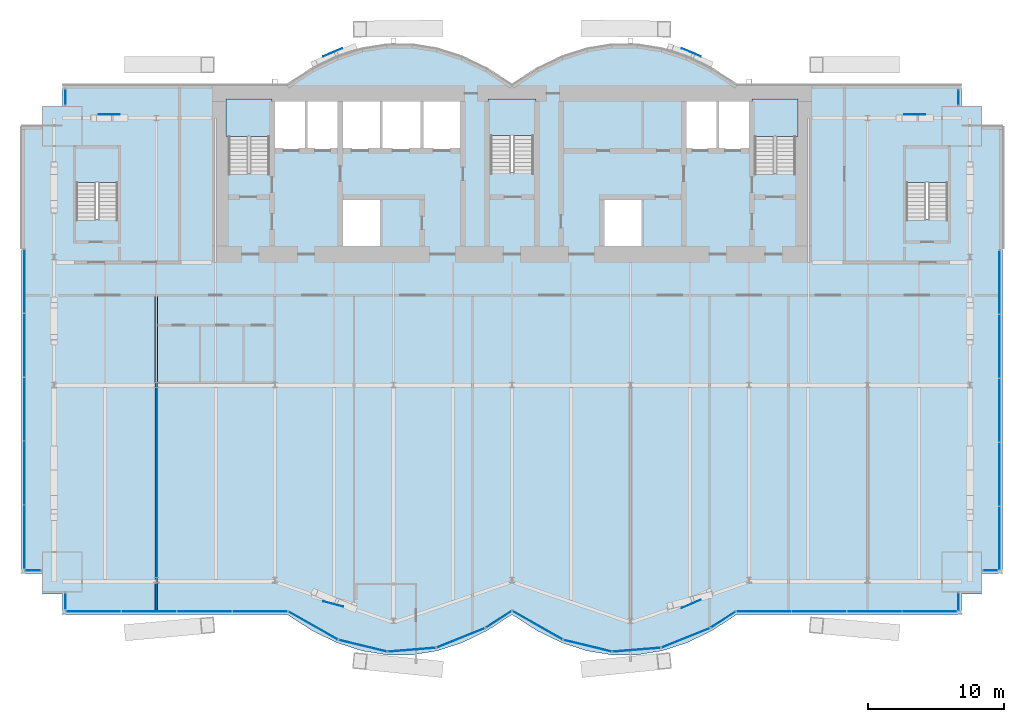
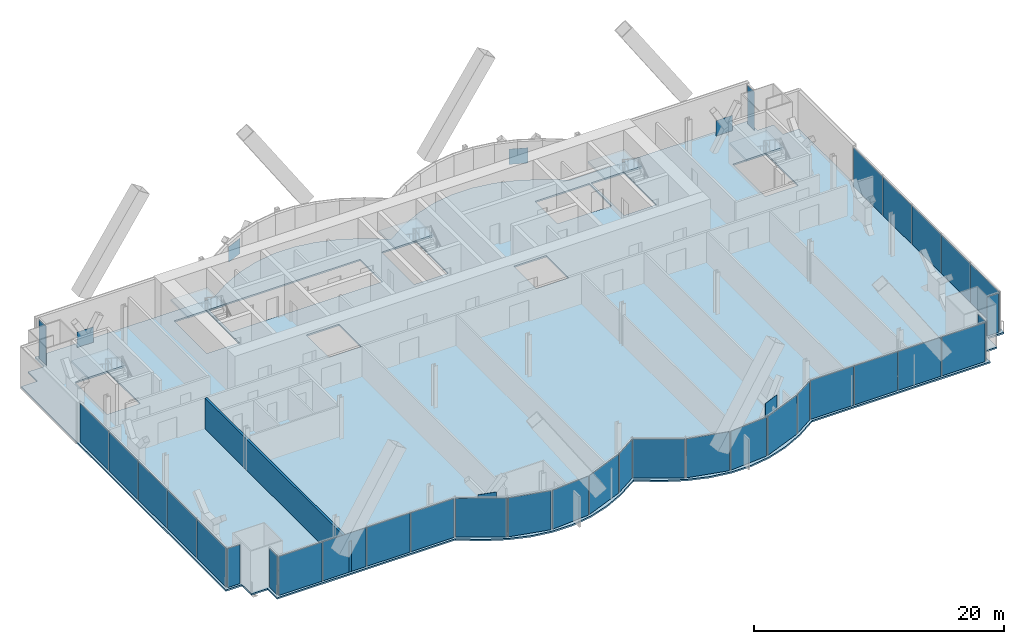
# One storey, part 15 of 22: 40 plates, 6 slabs, 1 wall, 17 elements without a shape of their own.
"""IFC4 building model written with IfcOpenShell, lengths in metres."""

from ifc_helpers import new_model, si_unit, direction, frame, frame_2d, origin, origin_2d, place, context, subcontext, project, spatial, polyline, rectangle, outline, extrude, material, layer, layer_set, type_object, element, aggregate, save


model = new_model("IFC4")

# Units and contexts
model_context = context("Model", 3, precision=1e-05, world=origin(), true_north=direction((0.0, 1.0)))
body_context = subcontext(model_context, "Body", "Model", "MODEL_VIEW")
ifc_project = project(units=[si_unit("LENGTHUNIT", "METRE"), si_unit("AREAUNIT", "SQUARE_METRE"), si_unit("VOLUMEUNIT", "CUBIC_METRE"), si_unit("PLANEANGLEUNIT", "RADIAN"), si_unit("MASSUNIT", "GRAM", prefix="KILO")], contexts=[model_context])

# Site, building, storey
site_placement = place(None, origin())
site = spatial("IfcSite", under=ifc_project, at=site_placement, CompositionType="ELEMENT")
building_placement = place(site_placement, origin())
building = spatial("IfcBuilding", under=site, at=building_placement, Name="Bicima Exchange Tower", CompositionType="ELEMENT")
storey_placement = place(building_placement, frame((0.0, 0.0, 94.0)))
storey = spatial("IfcBuildingStorey", under=building, at=storey_placement, Name="L19", CompositionType="ELEMENT", Elevation=94.0)

# Plates
ifc_material_1 = material(Name="Steel ASTM A572 Gr 50", Category="steel")
ifc_layer_1 = layer(ifc_material_1, 0.02490234375)
ifc_layer_set_1 = layer_set([ifc_layer_1], Name="Steel ASTM A572 Gr 50")
plate_type_1 = type_object("IfcPlateType", Name="Brace crossing gusset 25", PredefinedType="SHEET", material=ifc_layer_set_1)
for number, where, z_axis, x_axis, name in (
    (1, (-13.15380859375, 2.415283203125, 1.300048828125), (0.0, 0.0, 1.0), (0.920946171144, 0.389689812356, 0.0), "Brace crossing gusset plate"),
    (2, (13.15380859375, 2.415283203125, 1.300048828125), (0.0, 0.0, 1.0), (0.920946171144, -0.389689812356, 0.0), "Brace crossing gusset plate"),
    (3, (-13.116943359375, -38.0595703125, 1.300048828125), (0.0, 0.0, 1.0), (0.967901583186, -0.25132951531, 0.0), "Brace crossing gusset plate"),
    (4, (13.15478515625, -38.04638671875, 1.300048828125), (0.0, 0.0, 1.0), (0.91935521456, 0.393428506163, 0.0), "Brace crossing gusset plate"),
    (5, (-29.550048828125, -2.133544921875, 1.300048828125), (0.0, 0.0, 1.0), (1.0, 0.0, 0.0), "Brace crossing gusset plate"),
    (6, (29.550048828125, -2.133544921875, 1.300048828125), (0.0, 0.0, 1.0), (1.0, 0.0, 0.0), "Brace crossing gusset plate"),
):
    element("IfcPlate", number, at=place(storey_placement, frame(where, z_axis=z_axis, x_axis=x_axis)), inside=storey, type_object=plate_type_1, Name=name, PredefinedType="SHEET", context=body_context, shape_type="SweptSolid", body=[
        extrude(rectangle(XDim=1.52392578125, YDim=0.02490234375, at=origin_2d()), origin(), (0.0, 0.0, 1.0), 1.5),
    ])

# Slab
ifc_material_2 = material(Name="Concrete C40/50", Category="concrete")
ifc_layer_2 = layer(ifc_material_2, 0.14990234375)
ifc_layer_set_2 = layer_set([ifc_layer_2], Name="Concrete C40/50")
slab_type_1 = type_object("IfcSlabType", Name="Composite floor slab 150", PredefinedType="FLOOR", material=ifc_layer_set_2)
slab_1_placement = place(storey_placement, frame((0.0, 0.0, -0.14990234375)))
element("IfcSlab", 7, at=slab_1_placement, inside=storey, type_object=slab_type_1, Name="Floor slab", PredefinedType="FLOOR", context=body_context, shape_type="SweptSolid", body=[
    extrude(outline(polyline([(-36.0, -35.827880859375), (-36.0, -3.0), (-34.5, -3.0), (-34.5, -1.5), (-33.0, -1.5), (-33.0, 0.0), (-16.5, 0.0), (-14.666748046875, 1.185302734375), (-12.833251953125, 2.07421875), (-11.0, 2.666748046875), (-9.166748046875, 2.962890625), (-7.333251953125, 2.962890625), (-5.5, 2.666748046875), (-3.666748046875, 2.07421875), (-1.833251953125, 1.185302734375), (0.0, 0.0), (1.833251953125, 1.185302734375), (3.666748046875, 2.07421875), (5.5, 2.666748046875), (7.333251953125, 2.962890625), (9.166748046875, 2.962890625), (11.0, 2.666748046875), (12.833251953125, 2.07421875), (14.666748046875, 1.185302734375), (16.5, 0.0), (33.0, 0.0), (33.0, -1.5), (34.5, -1.5), (34.5, -3.0), (36.0, -3.0), (36.0, -35.827880859375), (34.5, -35.827880859375), (34.5, -37.327880859375), (33.0, -37.327880859375), (33.0, -38.827880859375), (16.5, -38.827880859375), (14.666748046875, -40.01318359375), (12.833251953125, -40.902099609375), (11.0, -41.49462890625), (9.166748046875, -41.791015625), (7.333251953125, -41.791015625), (5.5, -41.49462890625), (3.666748046875, -40.902099609375), (1.833251953125, -40.01318359375), (0.0, -38.827880859375), (-1.833251953125, -40.01318359375), (-3.666748046875, -40.902099609375), (-5.5, -41.49462890625), (-7.333251953125, -41.791015625), (-9.166748046875, -41.791015625), (-11.0, -41.49462890625), (-12.833251953125, -40.902099609375), (-14.666748046875, -40.01318359375), (-16.5, -38.827880859375), (-33.0, -38.827880859375), (-33.0, -37.327880859375), (-34.5, -37.327880859375), (-34.5, -35.827880859375), (-36.0, -35.827880859375)]), holes=[polyline([(-9.60009765625, -11.800048828125), (-9.60009765625, -8.199951171875), (-12.60009765625, -8.199951171875), (-12.60009765625, -11.800048828125), (-9.60009765625, -11.800048828125)]), polyline([(-31.97509765625, -9.824951171875), (-28.925048828125, -9.824951171875), (-28.925048828125, -4.625), (-31.97509765625, -4.625), (-31.97509765625, -9.824951171875)]), polyline([(-20.800048828125, -6.449951171875), (-17.800048828125, -6.449951171875), (-17.800048828125, -1.199951171875), (-20.800048828125, -1.199951171875), (-20.800048828125, -6.449951171875)]), polyline([(-9.60009765625, -1.199951171875), (-12.60009765625, -1.199951171875), (-15.10009765625, -1.199951171875), (-17.60009765625, -1.199951171875), (-17.60009765625, -4.800048828125), (-15.10009765625, -4.800048828125), (-12.60009765625, -4.800048828125), (-9.60009765625, -4.800048828125), (-6.60009765625, -4.800048828125), (-3.60009765625, -4.800048828125), (-3.60009765625, -1.199951171875), (-6.60009765625, -1.199951171875), (-9.60009765625, -1.199951171875)]), polyline([(9.60009765625, -11.800048828125), (9.60009765625, -8.199951171875), (6.60009765625, -8.199951171875), (6.60009765625, -11.800048828125), (9.60009765625, -11.800048828125)]), polyline([(28.925048828125, -9.824951171875), (31.97509765625, -9.824951171875), (31.97509765625, -4.625), (28.925048828125, -4.625), (28.925048828125, -9.824951171875)]), polyline([(17.800048828125, -6.449951171875), (20.800048828125, -6.449951171875), (20.800048828125, -1.199951171875), (17.800048828125, -1.199951171875), (17.800048828125, -6.449951171875)]), polyline([(-1.574951171875, -6.39990234375), (1.574951171875, -6.39990234375), (1.574951171875, -1.199951171875), (-1.574951171875, -1.199951171875), (-1.574951171875, -6.39990234375)]), polyline([(17.60009765625, -4.800048828125), (17.60009765625, -1.199951171875), (15.10009765625, -1.199951171875), (12.60009765625, -1.199951171875), (12.60009765625, -4.800048828125), (15.10009765625, -4.800048828125), (17.60009765625, -4.800048828125)])]), origin(), (0.0, 0.0, 1.0), 0.14990234375),
])

# Curtain wall, plates
ifc_material_3 = material(Name="Anodised bronze aluminium", Category="aluminium")
curtain_wall_type_1 = type_object("IfcCurtainWallType", Name="End face glass wall", PredefinedType="NOTDEFINED", material=ifc_material_3)
curtain_wall_1_placement = place(storey_placement, origin())
curtain_wall_1 = element("IfcCurtainWall", 8, at=curtain_wall_1_placement, inside=storey, type_object=curtain_wall_type_1, Name="End face glass wall L19 run 2", PredefinedType="NOTDEFINED")
ifc_material_4 = material(Name="Bronze tinted glass", Category="glass")
ifc_layer_3 = layer(ifc_material_4, 0.031982421875)
ifc_layer_set_3 = layer_set([ifc_layer_3], Name="Bronze tinted glass")
plate_type_2 = type_object("IfcPlateType", Name="End face glass wall glass panel 32", PredefinedType="CURTAIN_PANEL", material=ifc_layer_set_3)
plate_1_placement = place(storey_placement, frame((-35.77001953125, -14.375732421875, 0.0), z_axis=(0.0, 0.0, 1.0), x_axis=(0.0, -1.0, 0.0)))
plate_1 = element("IfcPlate", 9, at=plate_1_placement, type_object=plate_type_2, Name="End face glass wall panel 1.1", PredefinedType="CURTAIN_PANEL", context=body_context, shape_type="SweptSolid", body=[
    extrude(rectangle(XDim=4.631591796875, YDim=0.031982421875, at=origin_2d()), origin(), (0.0, 0.0, 1.0), 3.81005859375),
])
plate_2_placement = place(storey_placement, frame((-35.77001953125, -19.0673828125, 0.0), z_axis=(0.0, 0.0, 1.0), x_axis=(0.0, -1.0, 0.0)))
plate_2 = element("IfcPlate", 10, at=plate_2_placement, type_object=plate_type_2, Name="End face glass wall panel 2.1", PredefinedType="CURTAIN_PANEL", context=body_context, shape_type="SweptSolid", body=[
    extrude(rectangle(XDim=4.631591796875, YDim=0.031982421875, at=origin_2d()), origin(), (0.0, 0.0, 1.0), 3.81005859375),
])
plate_3_placement = place(storey_placement, frame((-35.77001953125, -23.759033203125, 0.0), z_axis=(0.0, 0.0, 1.0), x_axis=(0.0, -1.0, 0.0)))
plate_3 = element("IfcPlate", 11, at=plate_3_placement, type_object=plate_type_2, Name="End face glass wall panel 3.1", PredefinedType="CURTAIN_PANEL", context=body_context, shape_type="SweptSolid", body=[
    extrude(rectangle(XDim=4.631591796875, YDim=0.031982421875, at=origin_2d()), origin(), (0.0, 0.0, 1.0), 3.81005859375),
])

curtain_wall_2_placement = place(storey_placement, origin())
curtain_wall_2 = element("IfcCurtainWall", 12, at=curtain_wall_2_placement, inside=storey, type_object=curtain_wall_type_1, Name="End face glass wall L19 run 19", PredefinedType="NOTDEFINED")
plate_4_placement = place(storey_placement, frame((35.77001953125, -23.839111328125, 0.0), z_axis=(0.0, 0.0, 1.0), x_axis=(0.0, 1.0, 0.0)))
plate_4 = element("IfcPlate", 13, at=plate_4_placement, type_object=plate_type_2, Name="End face glass wall panel 3.1", PredefinedType="CURTAIN_PANEL", context=body_context, shape_type="SweptSolid", body=[
    extrude(rectangle(XDim=4.631591796875, YDim=0.031982421875, at=origin_2d()), origin(), (0.0, 0.0, 1.0), 3.81005859375),
])
plate_5_placement = place(storey_placement, frame((35.77001953125, -19.1474609375, 0.0), z_axis=(0.0, 0.0, 1.0), x_axis=(0.0, 1.0, 0.0)))
plate_5 = element("IfcPlate", 14, at=plate_5_placement, type_object=plate_type_2, Name="End face glass wall panel 4.1", PredefinedType="CURTAIN_PANEL", context=body_context, shape_type="SweptSolid", body=[
    extrude(rectangle(XDim=4.631591796875, YDim=0.031982421875, at=origin_2d()), origin(), (0.0, 0.0, 1.0), 3.81005859375),
])
plate_6_placement = place(storey_placement, frame((35.77001953125, -14.455810546875, 0.0), z_axis=(0.0, 0.0, 1.0), x_axis=(0.0, 1.0, 0.0)))
plate_6 = element("IfcPlate", 15, at=plate_6_placement, type_object=plate_type_2, Name="End face glass wall panel 5.1", PredefinedType="CURTAIN_PANEL", context=body_context, shape_type="SweptSolid", body=[
    extrude(rectangle(XDim=4.631591796875, YDim=0.031982421875, at=origin_2d()), origin(), (0.0, 0.0, 1.0), 3.81005859375),
])

# Plate
ifc_material_5 = material(Name="Bronze anodised aluminium", Category="aluminium")
ifc_layer_4 = layer(ifc_material_5, 0.031982421875)
ifc_layer_set_4 = layer_set([ifc_layer_4], Name="Bronze anodised aluminium")
plate_type_3 = type_object("IfcPlateType", Name="End face glass wall spandrel panel 32", PredefinedType="CURTAIN_PANEL", material=ifc_layer_set_4)
plate_7_placement = place(storey_placement, frame((-35.77001953125, -28.45068359375, 0.0), z_axis=(0.0, 0.0, 1.0), x_axis=(0.0, -1.0, 0.0)))
plate_7 = element("IfcPlate", 16, at=plate_7_placement, type_object=plate_type_3, Name="End face spandrel wall panel 4.1", PredefinedType="CURTAIN_PANEL", context=body_context, shape_type="SweptSolid", body=[
    extrude(rectangle(XDim=4.631591796875, YDim=0.031982421875, at=origin_2d()), origin(), (0.0, 0.0, 1.0), 3.81005859375),
])

plate_8_placement = place(storey_placement, frame((-35.77001953125, -33.14208984375, 0.0), z_axis=(0.0, 0.0, 1.0), x_axis=(0.0, -1.0, 0.0)))
plate_8 = element("IfcPlate", 17, at=plate_8_placement, type_object=plate_type_3, Name="End face spandrel wall panel 5.1", PredefinedType="CURTAIN_PANEL", context=body_context, shape_type="SweptSolid", body=[
    extrude(rectangle(XDim=4.631591796875, YDim=0.031982421875, at=origin_2d()), origin(), (0.0, 0.0, 1.0), 3.81005859375),
])

aggregate(curtain_wall_1, [plate_1, plate_2, plate_3, plate_7, plate_8])

plate_9_placement = place(storey_placement, frame((35.77001953125, -33.22216796875, 0.0), z_axis=(0.0, 0.0, 1.0), x_axis=(0.0, 1.0, 0.0)))
plate_9 = element("IfcPlate", 18, at=plate_9_placement, type_object=plate_type_3, Name="End face spandrel wall panel 1.1", PredefinedType="CURTAIN_PANEL", context=body_context, shape_type="SweptSolid", body=[
    extrude(rectangle(XDim=4.631591796875, YDim=0.031982421875, at=origin_2d()), origin(), (0.0, 0.0, 1.0), 3.81005859375),
])

plate_10_placement = place(storey_placement, frame((35.77001953125, -28.530517578125, 0.0), z_axis=(0.0, 0.0, 1.0), x_axis=(0.0, 1.0, 0.0)))
plate_10 = element("IfcPlate", 19, at=plate_10_placement, type_object=plate_type_3, Name="End face spandrel wall panel 2.1", PredefinedType="CURTAIN_PANEL", context=body_context, shape_type="SweptSolid", body=[
    extrude(rectangle(XDim=4.631591796875, YDim=0.031982421875, at=origin_2d()), origin(), (0.0, 0.0, 1.0), 3.81005859375),
])

aggregate(curtain_wall_2, [plate_9, plate_10, plate_4, plate_5, plate_6])

# Curtain wall, plate
curtain_wall_type_2 = type_object("IfcCurtainWallType", Name="Front glass wall", PredefinedType="NOTDEFINED", material=ifc_material_3)
curtain_wall_3_placement = place(storey_placement, origin())
curtain_wall_3 = element("IfcCurtainWall", 20, at=curtain_wall_3_placement, inside=storey, type_object=curtain_wall_type_2, Name="Front glass wall L19 run 1", PredefinedType="NOTDEFINED")
ifc_layer_5 = layer(ifc_material_4, 0.031982421875)
ifc_layer_set_5 = layer_set([ifc_layer_5], Name="Bronze tinted glass")
plate_type_4 = type_object("IfcPlateType", Name="Front glass wall glass panel 32", PredefinedType="CURTAIN_PANEL", material=ifc_layer_set_5)
plate_11_placement = place(storey_placement, frame((-32.77001953125, -0.864990234375, 0.0), z_axis=(0.0, 0.0, 1.0), x_axis=(0.0, -1.0, 0.0)))
plate_11 = element("IfcPlate", 21, at=plate_11_placement, type_object=plate_type_4, Name="Front glass wall panel 1.1", PredefinedType="CURTAIN_PANEL", context=body_context, shape_type="SweptSolid", body=[
    extrude(rectangle(XDim=1.14990234375, YDim=0.031982421875, at=origin_2d()), origin(), (0.0, 0.0, 1.0), 3.81005859375),
])
aggregate(curtain_wall_3, [plate_11])

curtain_wall_4_placement = place(storey_placement, origin())
curtain_wall_4 = element("IfcCurtainWall", 22, at=curtain_wall_4_placement, inside=storey, type_object=curtain_wall_type_2, Name="Front glass wall L19 run 3", PredefinedType="NOTDEFINED")
plate_12_placement = place(storey_placement, frame((-35.135009765625, -35.597900390625, 0.0), z_axis=(0.0, 0.0, 1.0), x_axis=(1.0, 0.0, 0.0)))
plate_12 = element("IfcPlate", 23, at=plate_12_placement, type_object=plate_type_4, Name="Front glass wall panel 1.1", PredefinedType="CURTAIN_PANEL", context=body_context, shape_type="SweptSolid", body=[
    extrude(rectangle(XDim=1.14990234375, YDim=0.031982421875, at=origin_2d()), origin(), (0.0, 0.0, 1.0), 3.81005859375),
])
aggregate(curtain_wall_4, [plate_12])

curtain_wall_5_placement = place(storey_placement, origin())
curtain_wall_5 = element("IfcCurtainWall", 24, at=curtain_wall_5_placement, inside=storey, type_object=curtain_wall_type_2, Name="Front glass wall L19 run 4", PredefinedType="NOTDEFINED")
plate_13_placement = place(storey_placement, frame((-32.77001953125, -37.862060546875, 0.0), z_axis=(0.0, 0.0, 1.0), x_axis=(0.0, -1.0, 0.0)))
plate_13 = element("IfcPlate", 25, at=plate_13_placement, type_object=plate_type_4, Name="Front glass wall panel 1.1", PredefinedType="CURTAIN_PANEL", context=body_context, shape_type="SweptSolid", body=[
    extrude(rectangle(XDim=1.19189453125, YDim=0.031982421875, at=origin_2d()), origin(), (0.0, 0.0, 1.0), 3.81005859375),
])
aggregate(curtain_wall_5, [plate_13])

# Curtain wall, plates
curtain_wall_6_placement = place(storey_placement, origin())
curtain_wall_6 = element("IfcCurtainWall", 26, at=curtain_wall_6_placement, inside=storey, type_object=curtain_wall_type_2, Name="Front glass wall L19 run 5", PredefinedType="NOTDEFINED")
plate_14_placement = place(storey_placement, frame((-22.56640625, -38.597900390625, 0.0), z_axis=(0.0, 0.0, 1.0), x_axis=(1.0, 0.0, 0.0)))
plate_14 = element("IfcPlate", 27, at=plate_14_placement, type_object=plate_type_4, Name="Front glass wall panel 3.1", PredefinedType="CURTAIN_PANEL", context=body_context, shape_type="SweptSolid", body=[
    extrude(rectangle(XDim=4.009521484375, YDim=0.031982421875, at=origin_2d()), origin(), (0.0, 0.0, 1.0), 3.81005859375),
])
plate_15_placement = place(storey_placement, frame((-18.496826171875, -38.597900390625, 0.0), z_axis=(0.0, 0.0, 1.0), x_axis=(1.0, 0.0, 0.0)))
plate_15 = element("IfcPlate", 28, at=plate_15_placement, type_object=plate_type_4, Name="Front glass wall panel 4.1", PredefinedType="CURTAIN_PANEL", context=body_context, shape_type="SweptSolid", body=[
    extrude(rectangle(XDim=4.009521484375, YDim=0.031982421875, at=origin_2d()), origin(), (0.0, 0.0, 1.0), 3.81005859375),
])

curtain_wall_7_placement = place(storey_placement, origin())
curtain_wall_7 = element("IfcCurtainWall", 29, at=curtain_wall_7_placement, inside=storey, type_object=curtain_wall_type_2, Name="Front glass wall L19 run 6", PredefinedType="NOTDEFINED")
plate_16_placement = place(storey_placement, frame((-14.589599609375, -39.64306640625, 0.0), z_axis=(0.0, 0.0, 1.0), x_axis=(0.869805110681, -0.493395449343, 0.0)))
plate_16 = element("IfcPlate", 30, at=plate_16_placement, type_object=plate_type_4, Name="Front glass wall panel 1.1", PredefinedType="CURTAIN_PANEL", context=body_context, shape_type="SweptSolid", body=[
    extrude(rectangle(XDim=4.1162109375, YDim=0.031982421875, at=origin_2d()), origin(), (0.0, 0.0, 1.0), 3.81005859375),
])
plate_17_placement = place(storey_placement, frame((-10.94775390625, -41.12451171875, 0.0), z_axis=(0.0, 0.0, 1.0), x_axis=(0.971830343553, -0.235681529503, 0.0)))
plate_17 = element("IfcPlate", 31, at=plate_17_placement, type_object=plate_type_4, Name="Front glass wall panel 1.1", PredefinedType="CURTAIN_PANEL", context=body_context, shape_type="SweptSolid", body=[
    extrude(rectangle(XDim=3.583251953125, YDim=0.031982421875, at=origin_2d()), origin(), (0.0, 0.0, 1.0), 3.81005859375),
])
plate_18_placement = place(storey_placement, frame((-0.97314453125, -39.18310546875, 0.0), z_axis=(0.0, 0.0, 1.0), x_axis=(0.839798994301, 0.542897457326, 0.0)))
plate_18 = element("IfcPlate", 32, at=plate_18_placement, type_object=plate_type_4, Name="Front glass wall panel 1.1", PredefinedType="CURTAIN_PANEL", context=body_context, shape_type="SweptSolid", body=[
    extrude(rectangle(XDim=2.197509765625, YDim=0.031982421875, at=origin_2d()), origin(), (0.0, 0.0, 1.0), 3.81005859375),
])

curtain_wall_8_placement = place(storey_placement, origin())
curtain_wall_8 = element("IfcCurtainWall", 33, at=curtain_wall_8_placement, inside=storey, type_object=curtain_wall_type_2, Name="Front glass wall L19 run 11", PredefinedType="NOTDEFINED")
plate_19_placement = place(storey_placement, frame((9.14892578125, -41.415771484375, 0.0), z_axis=(0.0, 0.0, 1.0), x_axis=(0.99674744821, 0.080588612633, 0.0)))
plate_19 = element("IfcPlate", 34, at=plate_19_placement, type_object=plate_type_4, Name="Front glass wall panel 1.1", PredefinedType="CURTAIN_PANEL", context=body_context, shape_type="SweptSolid", body=[
    extrude(rectangle(XDim=3.486083984375, YDim=0.031982421875, at=origin_2d()), origin(), (0.0, 0.0, 1.0), 3.81005859375),
])
plate_20_placement = place(storey_placement, frame((12.749755859375, -40.54150390625, 0.0), z_axis=(0.0, 0.0, 1.0), x_axis=(0.92714396679, 0.374705304, 0.0)))
plate_20 = element("IfcPlate", 35, at=plate_20_placement, type_object=plate_type_4, Name="Front glass wall panel 1.1", PredefinedType="CURTAIN_PANEL", context=body_context, shape_type="SweptSolid", body=[
    extrude(rectangle(XDim=3.771240234375, YDim=0.031982421875, at=origin_2d()), origin(), (0.0, 0.0, 1.0), 3.81005859375),
])
plate_21_placement = place(storey_placement, frame((15.492919921875, -39.205078125, 0.0), z_axis=(0.0, 0.0, 1.0), x_axis=(0.839791413941, 0.542909183079, 0.0)))
plate_21 = element("IfcPlate", 36, at=plate_21_placement, type_object=plate_type_4, Name="Front glass wall panel 1.1", PredefinedType="CURTAIN_PANEL", context=body_context, shape_type="SweptSolid", body=[
    extrude(rectangle(XDim=2.11669921875, YDim=0.031982421875, at=origin_2d()), origin(), (0.0, 0.0, 1.0), 3.81005859375),
])

curtain_wall_9_placement = place(storey_placement, origin())
curtain_wall_9 = element("IfcCurtainWall", 37, at=curtain_wall_9_placement, inside=storey, type_object=curtain_wall_type_2, Name="Front glass wall L19 run 16", PredefinedType="NOTDEFINED")
plate_22_placement = place(storey_placement, frame((18.48681640625, -38.597900390625, 0.0), z_axis=(0.0, 0.0, 1.0), x_axis=(1.0, 0.0, 0.0)))
plate_22 = element("IfcPlate", 38, at=plate_22_placement, type_object=plate_type_4, Name="Front glass wall panel 1.1", PredefinedType="CURTAIN_PANEL", context=body_context, shape_type="SweptSolid", body=[
    extrude(rectangle(XDim=3.989501953125, YDim=0.031982421875, at=origin_2d()), origin(), (0.0, 0.0, 1.0), 3.81005859375),
])
plate_23_placement = place(storey_placement, frame((22.536376953125, -38.597900390625, 0.0), z_axis=(0.0, 0.0, 1.0), x_axis=(1.0, 0.0, 0.0)))
plate_23 = element("IfcPlate", 39, at=plate_23_placement, type_object=plate_type_4, Name="Front glass wall panel 2.1", PredefinedType="CURTAIN_PANEL", context=body_context, shape_type="SweptSolid", body=[
    extrude(rectangle(XDim=3.989501953125, YDim=0.031982421875, at=origin_2d()), origin(), (0.0, 0.0, 1.0), 3.81005859375),
])

# Curtain wall, plate
curtain_wall_10_placement = place(storey_placement, origin())
curtain_wall_10 = element("IfcCurtainWall", 40, at=curtain_wall_10_placement, inside=storey, type_object=curtain_wall_type_2, Name="Front glass wall L19 run 17", PredefinedType="NOTDEFINED")
plate_24_placement = place(storey_placement, frame((32.77001953125, -37.902099609375, 0.0), z_axis=(0.0, 0.0, 1.0), x_axis=(0.0, 1.0, 0.0)))
plate_24 = element("IfcPlate", 41, at=plate_24_placement, type_object=plate_type_4, Name="Front glass wall panel 1.1", PredefinedType="CURTAIN_PANEL", context=body_context, shape_type="SweptSolid", body=[
    extrude(rectangle(XDim=1.27197265625, YDim=0.031982421875, at=origin_2d()), origin(), (0.0, 0.0, 1.0), 3.81005859375),
])
aggregate(curtain_wall_10, [plate_24])

curtain_wall_11_placement = place(storey_placement, origin())
curtain_wall_11 = element("IfcCurtainWall", 42, at=curtain_wall_11_placement, inside=storey, type_object=curtain_wall_type_2, Name="Front glass wall L19 run 18", PredefinedType="NOTDEFINED")
plate_25_placement = place(storey_placement, frame((35.094970703125, -35.597900390625, 0.0), z_axis=(0.0, 0.0, 1.0), x_axis=(1.0, 0.0, 0.0)))
plate_25 = element("IfcPlate", 43, at=plate_25_placement, type_object=plate_type_4, Name="Front glass wall panel 1.1", PredefinedType="CURTAIN_PANEL", context=body_context, shape_type="SweptSolid", body=[
    extrude(rectangle(XDim=1.070068359375, YDim=0.031982421875, at=origin_2d()), origin(), (0.0, 0.0, 1.0), 3.81005859375),
])
aggregate(curtain_wall_11, [plate_25])

curtain_wall_12_placement = place(storey_placement, origin())
curtain_wall_12 = element("IfcCurtainWall", 44, at=curtain_wall_12_placement, inside=storey, type_object=curtain_wall_type_2, Name="Front glass wall L19 run 20", PredefinedType="NOTDEFINED")
plate_26_placement = place(storey_placement, frame((32.77001953125, -0.905029296875, 0.0), z_axis=(0.0, 0.0, 1.0), x_axis=(0.0, 1.0, 0.0)))
plate_26 = element("IfcPlate", 45, at=plate_26_placement, type_object=plate_type_4, Name="Front glass wall panel 1.1", PredefinedType="CURTAIN_PANEL", context=body_context, shape_type="SweptSolid", body=[
    extrude(rectangle(XDim=1.070068359375, YDim=0.031982421875, at=origin_2d()), origin(), (0.0, 0.0, 1.0), 3.81005859375),
])
aggregate(curtain_wall_12, [plate_26])

# Plate
ifc_layer_6 = layer(ifc_material_5, 0.031982421875)
ifc_layer_set_6 = layer_set([ifc_layer_6], Name="Bronze anodised aluminium")
plate_type_5 = type_object("IfcPlateType", Name="Front glass wall spandrel panel 32", PredefinedType="CURTAIN_PANEL", material=ifc_layer_set_6)
plate_27_placement = place(storey_placement, frame((-30.705322265625, -38.597900390625, 0.0), z_axis=(0.0, 0.0, 1.0), x_axis=(1.0, 0.0, 0.0)))
plate_27 = element("IfcPlate", 46, at=plate_27_placement, type_object=plate_type_5, Name="Front spandrel wall panel 1.1", PredefinedType="CURTAIN_PANEL", context=body_context, shape_type="SweptSolid", body=[
    extrude(rectangle(XDim=4.009521484375, YDim=0.031982421875, at=origin_2d()), origin(), (0.0, 0.0, 1.0), 3.81005859375),
])

plate_28_placement = place(storey_placement, frame((-26.6357421875, -38.597900390625, 0.0), z_axis=(0.0, 0.0, 1.0), x_axis=(1.0, 0.0, 0.0)))
plate_28 = element("IfcPlate", 47, at=plate_28_placement, type_object=plate_type_5, Name="Front spandrel wall panel 2.1", PredefinedType="CURTAIN_PANEL", context=body_context, shape_type="SweptSolid", body=[
    extrude(rectangle(XDim=4.009521484375, YDim=0.031982421875, at=origin_2d()), origin(), (0.0, 0.0, 1.0), 3.81005859375),
])

aggregate(curtain_wall_6, [plate_27, plate_28, plate_14, plate_15])

plate_29_placement = place(storey_placement, frame((-7.35107421875, -41.415771484375, 0.0), z_axis=(0.0, 0.0, 1.0), x_axis=(0.99674744821, 0.080588612633, 0.0)))
plate_29 = element("IfcPlate", 48, at=plate_29_placement, type_object=plate_type_5, Name="Front spandrel wall panel 1.1", PredefinedType="CURTAIN_PANEL", context=body_context, shape_type="SweptSolid", body=[
    extrude(rectangle(XDim=3.486083984375, YDim=0.031982421875, at=origin_2d()), origin(), (0.0, 0.0, 1.0), 3.81005859375),
])

plate_30_placement = place(storey_placement, frame((-3.750244140625, -40.54150390625, 0.0), z_axis=(0.0, 0.0, 1.0), x_axis=(0.92714396679, 0.374705304, 0.0)))
plate_30 = element("IfcPlate", 49, at=plate_30_placement, type_object=plate_type_5, Name="Front spandrel wall panel 1.1", PredefinedType="CURTAIN_PANEL", context=body_context, shape_type="SweptSolid", body=[
    extrude(rectangle(XDim=3.771240234375, YDim=0.031982421875, at=origin_2d()), origin(), (0.0, 0.0, 1.0), 3.81005859375),
])

aggregate(curtain_wall_7, [plate_16, plate_17, plate_29, plate_30, plate_18])

plate_31_placement = place(storey_placement, frame((1.876220703125, -39.62109375, 0.0), z_axis=(0.0, 0.0, 1.0), x_axis=(0.869274147378, -0.494330311331, 0.0)))
plate_31 = element("IfcPlate", 50, at=plate_31_placement, type_object=plate_type_5, Name="Front spandrel wall panel 1.1", PredefinedType="CURTAIN_PANEL", context=body_context, shape_type="SweptSolid", body=[
    extrude(rectangle(XDim=4.197021484375, YDim=0.031982421875, at=origin_2d()), origin(), (0.0, 0.0, 1.0), 3.81005859375),
])

plate_32_placement = place(storey_placement, frame((5.55224609375, -41.12451171875, 0.0), z_axis=(0.0, 0.0, 1.0), x_axis=(0.971830343553, -0.235681529503, 0.0)))
plate_32 = element("IfcPlate", 51, at=plate_32_placement, type_object=plate_type_5, Name="Front spandrel wall panel 1.1", PredefinedType="CURTAIN_PANEL", context=body_context, shape_type="SweptSolid", body=[
    extrude(rectangle(XDim=3.583251953125, YDim=0.031982421875, at=origin_2d()), origin(), (0.0, 0.0, 1.0), 3.81005859375),
])

aggregate(curtain_wall_8, [plate_31, plate_32, plate_19, plate_20, plate_21])

plate_33_placement = place(storey_placement, frame((26.585693359375, -38.597900390625, 0.0), z_axis=(0.0, 0.0, 1.0), x_axis=(1.0, 0.0, 0.0)))
plate_33 = element("IfcPlate", 52, at=plate_33_placement, type_object=plate_type_5, Name="Front spandrel wall panel 3.1", PredefinedType="CURTAIN_PANEL", context=body_context, shape_type="SweptSolid", body=[
    extrude(rectangle(XDim=3.989501953125, YDim=0.031982421875, at=origin_2d()), origin(), (0.0, 0.0, 1.0), 3.81005859375),
])

plate_34_placement = place(storey_placement, frame((30.63525390625, -38.597900390625, 0.0), z_axis=(0.0, 0.0, 1.0), x_axis=(1.0, 0.0, 0.0)))
plate_34 = element("IfcPlate", 53, at=plate_34_placement, type_object=plate_type_5, Name="Front spandrel wall panel 4.1", PredefinedType="CURTAIN_PANEL", context=body_context, shape_type="SweptSolid", body=[
    extrude(rectangle(XDim=3.989501953125, YDim=0.031982421875, at=origin_2d()), origin(), (0.0, 0.0, 1.0), 3.81005859375),
])

aggregate(curtain_wall_9, [plate_22, plate_23, plate_33, plate_34])

# Stair, slab
ifc_material_6 = material(Name="Concrete C50/60", Category="concrete")
stair_type_1 = type_object("IfcStairType", Name="Exit stair", PredefinedType="HALF_TURN_STAIR", material=ifc_material_6)
stair_1_placement = place(storey_placement, origin())
stair_1 = element("IfcStair", 54, at=stair_1_placement, inside=storey, type_object=stair_type_1, Name="L19 West exit stair", PredefinedType="HALF_TURN_STAIR")
ifc_layer_7 = layer(ifc_material_6, 0.199951171875)
ifc_layer_set_7 = layer_set([ifc_layer_7], Name="Concrete C50/60")
slab_type_2 = type_object("IfcSlabType", Name="Stair landing slab", PredefinedType="LANDING", material=ifc_layer_set_7)
slab_2_placement = place(storey_placement, frame((0.0, 0.0, 1.85009765625)))
slab_2 = element("IfcSlab", 55, at=slab_2_placement, type_object=slab_type_2, Name="ST-W landing 1", PredefinedType="LANDING", context=body_context, shape_type="SweptSolid", body=[
    extrude(outline(polyline([(-17.60009765625, -3.75), (-17.60009765625, -1.0), (-21.0, -1.0), (-21.0, -3.75), (-17.60009765625, -3.75)])), origin(), (0.0, 0.0, 1.0), 0.199951171875),
])
aggregate(stair_1, [slab_2])

stair_type_2 = type_object("IfcStairType", Name="Exit stair 1500", PredefinedType="HALF_TURN_STAIR", material=ifc_material_6)
stair_2_placement = place(storey_placement, origin())
stair_2 = element("IfcStair", 56, at=stair_2_placement, inside=storey, type_object=stair_type_2, Name="L19 Central exit stair", PredefinedType="HALF_TURN_STAIR")
slab_3_placement = place(storey_placement, frame((0.0, 0.0, 1.85009765625)))
slab_3 = element("IfcSlab", 57, at=slab_3_placement, type_object=slab_type_2, Name="ST-C landing 1", PredefinedType="LANDING", context=body_context, shape_type="SweptSolid", body=[
    extrude(outline(polyline([(1.77490234375, -3.699951171875), (1.77490234375, -1.0), (-1.77490234375, -1.0), (-1.77490234375, -3.699951171875), (1.77490234375, -3.699951171875)])), origin(), (0.0, 0.0, 1.0), 0.199951171875),
])
aggregate(stair_2, [slab_3])

stair_3_placement = place(storey_placement, origin())
stair_3 = element("IfcStair", 58, at=stair_3_placement, inside=storey, type_object=stair_type_1, Name="L19 East exit stair", PredefinedType="HALF_TURN_STAIR")
slab_4_placement = place(storey_placement, frame((0.0, 0.0, 1.85009765625)))
slab_4 = element("IfcSlab", 59, at=slab_4_placement, type_object=slab_type_2, Name="ST-E landing 1", PredefinedType="LANDING", context=body_context, shape_type="SweptSolid", body=[
    extrude(outline(polyline([(21.0, -3.75), (21.0, -1.0), (17.60009765625, -1.0), (17.60009765625, -3.75), (21.0, -3.75)])), origin(), (0.0, 0.0, 1.0), 0.199951171875),
])
aggregate(stair_3, [slab_4])

stair_4_placement = place(storey_placement, origin())
stair_4 = element("IfcStair", 60, at=stair_4_placement, inside=storey, type_object=stair_type_1, Name="L19 West end exit stair", PredefinedType="HALF_TURN_STAIR")
slab_5_placement = place(storey_placement, frame((0.0, 0.0, 1.85009765625)))
slab_5 = element("IfcSlab", 61, at=slab_5_placement, type_object=slab_type_2, Name="ST-WW landing 1", PredefinedType="LANDING", context=body_context, shape_type="SweptSolid", body=[
    extrude(outline(polyline([(-28.72509765625, -7.125), (-28.72509765625, -4.425048828125), (-32.175048828125, -4.425048828125), (-32.175048828125, -7.125), (-28.72509765625, -7.125)])), origin(), (0.0, 0.0, 1.0), 0.199951171875),
])
aggregate(stair_4, [slab_5])

stair_5_placement = place(storey_placement, origin())
stair_5 = element("IfcStair", 62, at=stair_5_placement, inside=storey, type_object=stair_type_1, Name="L19 East end exit stair", PredefinedType="HALF_TURN_STAIR")
slab_6_placement = place(storey_placement, frame((0.0, 0.0, 1.85009765625)))
slab_6 = element("IfcSlab", 63, at=slab_6_placement, type_object=slab_type_2, Name="ST-EE landing 1", PredefinedType="LANDING", context=body_context, shape_type="SweptSolid", body=[
    extrude(outline(polyline([(32.175048828125, -7.125), (32.175048828125, -4.425048828125), (28.72509765625, -4.425048828125), (28.72509765625, -7.125), (32.175048828125, -7.125)])), origin(), (0.0, 0.0, 1.0), 0.199951171875),
])
aggregate(stair_5, [slab_6])

# Wall
ifc_material_7 = material(Name="Gypsum board partition")
ifc_layer_8 = layer(ifc_material_7, 0.199951171875)
ifc_layer_set_8 = layer_set([ifc_layer_8], Name="Gypsum board partition")
wall_type = type_object("IfcWallType", Name="Fire-rated gypsum partition 200 EI60", PredefinedType="PARTITIONING", material=ifc_layer_set_8)
wall_placement = place(storey_placement, frame((-26.10009765625, -38.6201171875, 0.0), z_axis=(0.0, 0.0, 1.0), x_axis=(0.0, 1.0, 0.0)))
element("IfcWall", 64, at=wall_placement, inside=storey, type_object=wall_type, Name="partition wall 17", PredefinedType="PARTITIONING", context=body_context, shape_type="SweptSolid", body=[
    extrude(rectangle(XDim=23.1201171875, YDim=0.199951171875, at=frame_2d((11.56005859375, 0.0))), origin(), (0.0, 0.0, 1.0), 3.018310546875),
])

save(model, "model.ifc")
